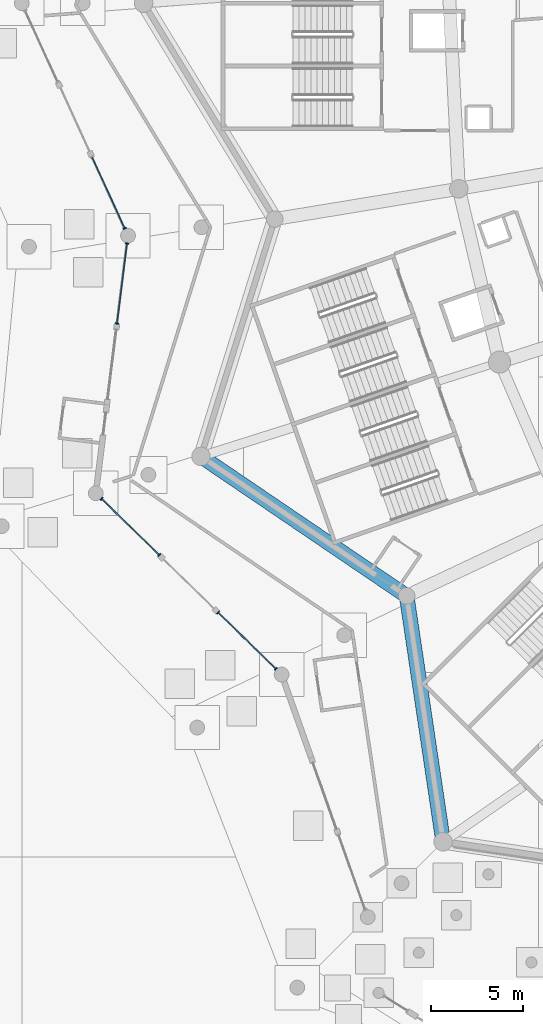
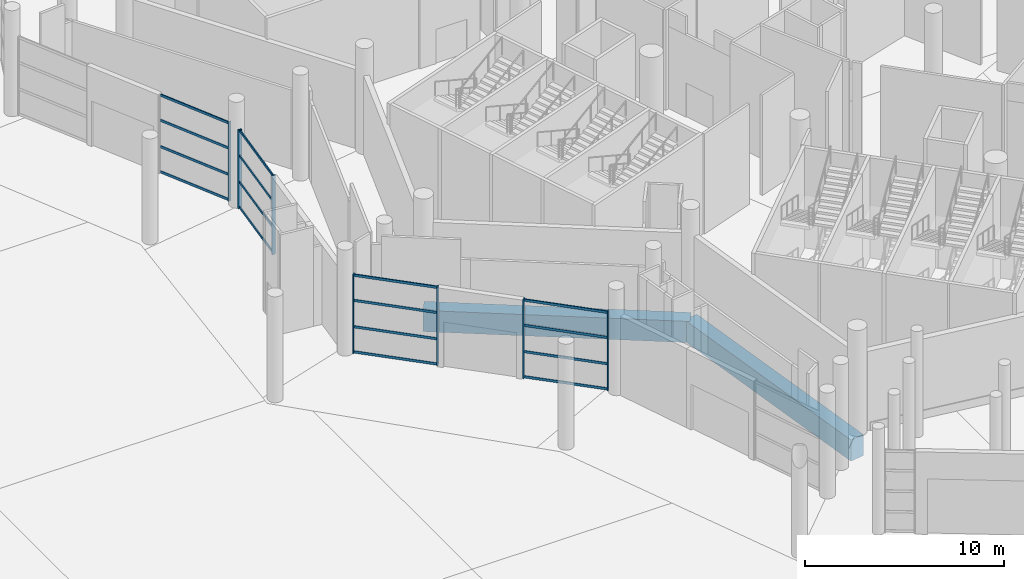
# One storey, part 17 of 255: 23 members, 2 beams, 4 elements without a shape of their own.
"""IFC4 building model written with IfcOpenShell, lengths in metres."""

from ifc_helpers import new_model, si_unit, direction, frame, origin, origin_2d, place, context, subcontext, project, spatial, rectangle, extrude, material, layer, layer_set, material_profile, profile_set, type_object, element, aggregate, save


model = new_model("IFC4")

# Units and contexts
model_context = context("Model", 3, precision=1e-05, world=origin(), true_north=direction((0.0, 1.0)))
body_context = subcontext(model_context, "Body", "Model", "MODEL_VIEW")
ifc_project = project(units=[si_unit("LENGTHUNIT", "METRE"), si_unit("AREAUNIT", "SQUARE_METRE"), si_unit("VOLUMEUNIT", "CUBIC_METRE"), si_unit("PLANEANGLEUNIT", "RADIAN"), si_unit("MASSUNIT", "GRAM", prefix="KILO")], contexts=[model_context])

# Site, building, storey
site_placement = place(None, origin())
site = spatial("IfcSite", under=ifc_project, at=site_placement, CompositionType="ELEMENT")
building_placement = place(site_placement, origin())
building = spatial("IfcBuilding", under=site, at=building_placement, Name="Meseta Stadium", CompositionType="ELEMENT")
storey_placement = place(building_placement, origin())
storey = spatial("IfcBuildingStorey", under=building, at=storey_placement, Name="L00", CompositionType="ELEMENT", Elevation=0.0)

# Beams
ifc_material_1 = material(Name="Concrete C40/50", Category="concrete")
ifc_material_profile_1 = material_profile(ifc_material_1, rectangle(XDim=0.800048828125, YDim=1.300048828125, at=origin_2d()), Name="RC 800x1300")
ifc_profile_set_1 = profile_set([ifc_material_profile_1], Name="Concrete C40/50")
beam_type = type_object("IfcBeamType", Name="RC beam 800x1300", PredefinedType="BEAM", material=ifc_profile_set_1)
beam_1_placement = place(storey_placement, frame((-98.291015625, -68.297607421875, -1.050048828125), z_axis=(0.827486005705, -0.561486340317, 0.0), x_axis=(0.561486340317, 0.827486005705, 0.0)))
element("IfcBeam", 1, at=beam_1_placement, inside=storey, type_object=beam_type, Name="L00 ring beam frame 38 line R", PredefinedType="BEAM", context=body_context, shape_type="SweptSolid", body=[
    extrude(rectangle(XDim=0.800048828125, YDim=1.300048828125, at=origin_2d()), origin(), (0.0, 0.0, 1.0), 13.462646484375),
])
beam_2_placement = place(storey_placement, frame((-87.15087890625, -75.856689453125, -1.050048828125), z_axis=(0.146870032835, -0.989155798373, 0.0), x_axis=(0.989155798373, 0.146870032835, 0.0)))
element("IfcBeam", 2, at=beam_2_placement, inside=storey, type_object=beam_type, Name="L00 ring beam frame 39 line R", PredefinedType="BEAM", context=body_context, shape_type="SweptSolid", body=[
    extrude(rectangle(XDim=0.800048828125, YDim=1.300048828125, at=origin_2d()), origin(), (0.0, 0.0, 1.0), 13.462890625),
])

# Curtain wall, member
ifc_material_2 = material(Name="Aluminium", Category="aluminium")
ifc_layer = layer(ifc_material_2, 0.199951171875)
ifc_layer_set = layer_set([ifc_layer], Name="Ring shopfront curtain wall")
curtain_wall_type = type_object("IfcCurtainWallType", Name="Ring shopfront curtain wall", PredefinedType="NOTDEFINED", material=ifc_layer_set)
curtain_wall_1_placement = place(storey_placement, origin())
curtain_wall_1 = element("IfcCurtainWall", 3, at=curtain_wall_1_placement, inside=storey, type_object=curtain_wall_type, Name="Shopfront glazing F36b", PredefinedType="NOTDEFINED")
ifc_material_3 = material(Name="Aluminium", Category="aluminium")
ifc_material_profile_2 = material_profile(ifc_material_3, rectangle(XDim=0.199951171875, YDim=0.06005859375, at=origin_2d()), Name="CW 200x60")
ifc_profile_set_2 = profile_set([ifc_material_profile_2], Name="Aluminium")
member_type_1 = type_object("IfcMemberType", Name="Ring CW mullion 60x200", PredefinedType="MULLION", material=ifc_profile_set_2)
member_1_placement = place(storey_placement, frame((-102.423095703125, -55.946044921875, 0.0), z_axis=(0.0, 0.0, 1.0), x_axis=(0.909427208853, 0.415863140706, 0.0)))
member_1 = element("IfcMember", 4, at=member_1_placement, type_object=member_type_1, Name="CWR1 mullion 2", PredefinedType="MULLION", context=body_context, shape_type="SweptSolid", body=[
    extrude(rectangle(XDim=0.199951171875, YDim=0.06005859375, at=origin_2d()), origin(), (0.0, 0.0, 1.0), 4.85009765625),
])

# Curtain wall, members
curtain_wall_2_placement = place(storey_placement, origin())
curtain_wall_2 = element("IfcCurtainWall", 5, at=curtain_wall_2_placement, inside=storey, type_object=curtain_wall_type, Name="Shopfront glazing F37a", PredefinedType="NOTDEFINED")
member_2_placement = place(storey_placement, frame((-102.297607421875, -56.763916015625, 0.0), z_axis=(0.0, 0.0, 1.0), x_axis=(0.992265721385, -0.124131938531, 0.0)))
member_2 = element("IfcMember", 6, at=member_2_placement, type_object=member_type_1, Name="CWR1 mullion 1", PredefinedType="MULLION", context=body_context, shape_type="SweptSolid", body=[
    extrude(rectangle(XDim=0.199951171875, YDim=0.06005859375, at=origin_2d()), origin(), (0.0, 0.0, 1.0), 4.85009765625),
])
member_3_placement = place(storey_placement, frame((-102.840087890625, -61.1015625, 0.0), z_axis=(0.0, 0.0, 1.0), x_axis=(0.992265721385, -0.124131938531, 0.0)))
member_3 = element("IfcMember", 7, at=member_3_placement, type_object=member_type_1, Name="CWR1 mullion 2", PredefinedType="MULLION", context=body_context, shape_type="SweptSolid", body=[
    extrude(rectangle(XDim=0.199951171875, YDim=0.06005859375, at=origin_2d()), origin(), (0.0, 0.0, 1.0), 4.85009765625),
])

curtain_wall_3_placement = place(storey_placement, origin())
curtain_wall_3 = element("IfcCurtainWall", 8, at=curtain_wall_3_placement, inside=storey, type_object=curtain_wall_type, Name="Shopfront glazing F38a", PredefinedType="NOTDEFINED")
member_4_placement = place(storey_placement, frame((-103.68212890625, -70.591796875, 0.0), z_axis=(0.0, 0.0, 1.0), x_axis=(0.698377144688, 0.715729951712, 0.0)))
member_4 = element("IfcMember", 9, at=member_4_placement, type_object=member_type_1, Name="CWR1 mullion 1", PredefinedType="MULLION", context=body_context, shape_type="SweptSolid", body=[
    extrude(rectangle(XDim=0.199951171875, YDim=0.06005859375, at=origin_2d()), origin(), (0.0, 0.0, 1.0), 4.85009765625),
])
member_5_placement = place(storey_placement, frame((-100.553466796875, -73.644775390625, 0.0), z_axis=(0.0, 0.0, 1.0), x_axis=(0.698377144688, 0.715729951712, 0.0)))
member_5 = element("IfcMember", 10, at=member_5_placement, type_object=member_type_1, Name="CWR1 mullion 2", PredefinedType="MULLION", context=body_context, shape_type="SweptSolid", body=[
    extrude(rectangle(XDim=0.199951171875, YDim=0.06005859375, at=origin_2d()), origin(), (0.0, 0.0, 1.0), 4.85009765625),
])

curtain_wall_4_placement = place(storey_placement, origin())
curtain_wall_4 = element("IfcCurtainWall", 11, at=curtain_wall_4_placement, inside=storey, type_object=curtain_wall_type, Name="Shopfront glazing F38b", PredefinedType="NOTDEFINED")
member_6_placement = place(storey_placement, frame((-97.361328125, -76.759765625, 0.0), z_axis=(0.0, 0.0, 1.0), x_axis=(0.698388703987, 0.715718672485, 0.0)))
member_6 = element("IfcMember", 12, at=member_6_placement, type_object=member_type_1, Name="CWR1 mullion 1", PredefinedType="MULLION", context=body_context, shape_type="SweptSolid", body=[
    extrude(rectangle(XDim=0.199951171875, YDim=0.06005859375, at=origin_2d()), origin(), (0.0, 0.0, 1.0), 4.85009765625),
])
member_7_placement = place(storey_placement, frame((-94.232421875, -79.812744140625, 0.0), z_axis=(0.0, 0.0, 1.0), x_axis=(0.698388703987, 0.715718672485, 0.0)))
member_7 = element("IfcMember", 13, at=member_7_placement, type_object=member_type_1, Name="CWR1 mullion 2", PredefinedType="MULLION", context=body_context, shape_type="SweptSolid", body=[
    extrude(rectangle(XDim=0.199951171875, YDim=0.06005859375, at=origin_2d()), origin(), (0.0, 0.0, 1.0), 4.85009765625),
])

# Member
ifc_material_4 = material(Name="Aluminium", Category="aluminium")
ifc_material_profile_3 = material_profile(ifc_material_4, rectangle(XDim=0.06005859375, YDim=0.14990234375, at=origin_2d()), Name="CW 60x150")
ifc_profile_set_3 = profile_set([ifc_material_profile_3], Name="Aluminium")
member_type_2 = type_object("IfcMemberType", Name="Ring CW transom 60x150", PredefinedType="USERDEFINED", material=ifc_profile_set_3)
member_8_placement = place(storey_placement, frame((-104.18212890625, -52.098876953125, 0.074951171875), z_axis=(0.415811956472, -0.909450612653, 0.0), x_axis=(0.909450612653, 0.415811956472, 0.0)))
member_8 = element("IfcMember", 14, at=member_8_placement, type_object=member_type_2, Name="CWR1 transom 1.1", ObjectType="TRANSOM", PredefinedType="USERDEFINED", context=body_context, shape_type="SweptSolid", body=[
    extrude(rectangle(XDim=0.06005859375, YDim=0.14990234375, at=origin_2d()), origin(), (0.0, 0.0, 1.0), 4.200439453125),
])

member_9_placement = place(storey_placement, frame((-104.18212890625, -52.098876953125, 1.61669921875), z_axis=(0.415811956472, -0.909450612653, 0.0), x_axis=(0.909450612653, 0.415811956472, 0.0)))
member_9 = element("IfcMember", 15, at=member_9_placement, type_object=member_type_2, Name="CWR1 transom 1.2", ObjectType="TRANSOM", PredefinedType="USERDEFINED", context=body_context, shape_type="SweptSolid", body=[
    extrude(rectangle(XDim=0.06005859375, YDim=0.14990234375, at=origin_2d()), origin(), (0.0, 0.0, 1.0), 4.200439453125),
])

member_10_placement = place(storey_placement, frame((-104.18212890625, -52.098876953125, 3.2333984375), z_axis=(0.415811956472, -0.909450612653, 0.0), x_axis=(0.909450612653, 0.415811956472, 0.0)))
member_10 = element("IfcMember", 16, at=member_10_placement, type_object=member_type_2, Name="CWR1 transom 1.3", ObjectType="TRANSOM", PredefinedType="USERDEFINED", context=body_context, shape_type="SweptSolid", body=[
    extrude(rectangle(XDim=0.06005859375, YDim=0.14990234375, at=origin_2d()), origin(), (0.0, 0.0, 1.0), 4.200439453125),
])

member_11_placement = place(storey_placement, frame((-104.18212890625, -52.098876953125, 4.77490234375), z_axis=(0.415811956472, -0.909450612653, 0.0), x_axis=(0.909450612653, 0.415811956472, 0.0)))
member_11 = element("IfcMember", 17, at=member_11_placement, type_object=member_type_2, Name="CWR1 transom 1.4", ObjectType="TRANSOM", PredefinedType="USERDEFINED", context=body_context, shape_type="SweptSolid", body=[
    extrude(rectangle(XDim=0.06005859375, YDim=0.14990234375, at=origin_2d()), origin(), (0.0, 0.0, 1.0), 4.200439453125),
])

aggregate(curtain_wall_1, [member_1, member_8, member_9, member_10, member_11])

member_12_placement = place(storey_placement, frame((-102.30126953125, -56.793701171875, 0.074951171875), z_axis=(-0.124125336508, -0.992266547273, 0.0), x_axis=(0.992266547273, -0.124125336508, 0.0)))
member_12 = element("IfcMember", 18, at=member_12_placement, type_object=member_type_2, Name="CWR1 transom 1.1", ObjectType="TRANSOM", PredefinedType="USERDEFINED", context=body_context, shape_type="SweptSolid", body=[
    extrude(rectangle(XDim=0.06005859375, YDim=0.14990234375, at=origin_2d()), origin(), (0.0, 0.0, 1.0), 4.3115234375),
])

member_13_placement = place(storey_placement, frame((-102.30126953125, -56.793701171875, 1.61669921875), z_axis=(-0.124125336508, -0.992266547273, 0.0), x_axis=(0.992266547273, -0.124125336508, 0.0)))
member_13 = element("IfcMember", 19, at=member_13_placement, type_object=member_type_2, Name="CWR1 transom 1.2", ObjectType="TRANSOM", PredefinedType="USERDEFINED", context=body_context, shape_type="SweptSolid", body=[
    extrude(rectangle(XDim=0.06005859375, YDim=0.14990234375, at=origin_2d()), origin(), (0.0, 0.0, 1.0), 4.3115234375),
])

member_14_placement = place(storey_placement, frame((-102.30126953125, -56.793701171875, 3.2333984375), z_axis=(-0.124125336508, -0.992266547273, 0.0), x_axis=(0.992266547273, -0.124125336508, 0.0)))
member_14 = element("IfcMember", 20, at=member_14_placement, type_object=member_type_2, Name="CWR1 transom 1.3", ObjectType="TRANSOM", PredefinedType="USERDEFINED", context=body_context, shape_type="SweptSolid", body=[
    extrude(rectangle(XDim=0.06005859375, YDim=0.14990234375, at=origin_2d()), origin(), (0.0, 0.0, 1.0), 4.3115234375),
])

member_15_placement = place(storey_placement, frame((-102.30126953125, -56.793701171875, 4.77490234375), z_axis=(-0.124125336508, -0.992266547273, 0.0), x_axis=(0.992266547273, -0.124125336508, 0.0)))
member_15 = element("IfcMember", 21, at=member_15_placement, type_object=member_type_2, Name="CWR1 transom 1.4", ObjectType="TRANSOM", PredefinedType="USERDEFINED", context=body_context, shape_type="SweptSolid", body=[
    extrude(rectangle(XDim=0.06005859375, YDim=0.14990234375, at=origin_2d()), origin(), (0.0, 0.0, 1.0), 4.3115234375),
])

aggregate(curtain_wall_2, [member_2, member_3, member_12, member_13, member_14, member_15])

member_16_placement = place(storey_placement, frame((-103.66064453125, -70.61279296875, 0.074951171875), z_axis=(0.715717740806, -0.698389658783, 0.0), x_axis=(0.698389658783, 0.715717740806, 0.0)))
member_16 = element("IfcMember", 22, at=member_16_placement, type_object=member_type_2, Name="CWR1 transom 1.1", ObjectType="TRANSOM", PredefinedType="USERDEFINED", context=body_context, shape_type="SweptSolid", body=[
    extrude(rectangle(XDim=0.06005859375, YDim=0.14990234375, at=origin_2d()), origin(), (0.0, 0.0, 1.0), 4.311279296875),
])

member_17_placement = place(storey_placement, frame((-103.66064453125, -70.61279296875, 1.61669921875), z_axis=(0.715717740806, -0.698389658783, 0.0), x_axis=(0.698389658783, 0.715717740806, 0.0)))
member_17 = element("IfcMember", 23, at=member_17_placement, type_object=member_type_2, Name="CWR1 transom 1.2", ObjectType="TRANSOM", PredefinedType="USERDEFINED", context=body_context, shape_type="SweptSolid", body=[
    extrude(rectangle(XDim=0.06005859375, YDim=0.14990234375, at=origin_2d()), origin(), (0.0, 0.0, 1.0), 4.311279296875),
])

member_18_placement = place(storey_placement, frame((-103.66064453125, -70.61279296875, 3.2333984375), z_axis=(0.715717740806, -0.698389658783, 0.0), x_axis=(0.698389658783, 0.715717740806, 0.0)))
member_18 = element("IfcMember", 24, at=member_18_placement, type_object=member_type_2, Name="CWR1 transom 1.3", ObjectType="TRANSOM", PredefinedType="USERDEFINED", context=body_context, shape_type="SweptSolid", body=[
    extrude(rectangle(XDim=0.06005859375, YDim=0.14990234375, at=origin_2d()), origin(), (0.0, 0.0, 1.0), 4.311279296875),
])

member_19_placement = place(storey_placement, frame((-103.66064453125, -70.61279296875, 4.77490234375), z_axis=(0.715717740806, -0.698389658783, 0.0), x_axis=(0.698389658783, 0.715717740806, 0.0)))
member_19 = element("IfcMember", 25, at=member_19_placement, type_object=member_type_2, Name="CWR1 transom 1.4", ObjectType="TRANSOM", PredefinedType="USERDEFINED", context=body_context, shape_type="SweptSolid", body=[
    extrude(rectangle(XDim=0.06005859375, YDim=0.14990234375, at=origin_2d()), origin(), (0.0, 0.0, 1.0), 4.311279296875),
])

aggregate(curtain_wall_3, [member_4, member_5, member_16, member_17, member_18, member_19])

member_20_placement = place(storey_placement, frame((-97.33984375, -76.780517578125, 0.074951171875), z_axis=(0.715717055566, -0.698390361025, 0.0), x_axis=(0.698390361025, 0.715717055566, 0.0)))
member_20 = element("IfcMember", 26, at=member_20_placement, type_object=member_type_2, Name="CWR1 transom 1.1", ObjectType="TRANSOM", PredefinedType="USERDEFINED", context=body_context, shape_type="SweptSolid", body=[
    extrude(rectangle(XDim=0.06005859375, YDim=0.14990234375, at=origin_2d()), origin(), (0.0, 0.0, 1.0), 4.311767578125),
])

member_21_placement = place(storey_placement, frame((-97.33984375, -76.780517578125, 1.61669921875), z_axis=(0.715717055566, -0.698390361025, 0.0), x_axis=(0.698390361025, 0.715717055566, 0.0)))
member_21 = element("IfcMember", 27, at=member_21_placement, type_object=member_type_2, Name="CWR1 transom 1.2", ObjectType="TRANSOM", PredefinedType="USERDEFINED", context=body_context, shape_type="SweptSolid", body=[
    extrude(rectangle(XDim=0.06005859375, YDim=0.14990234375, at=origin_2d()), origin(), (0.0, 0.0, 1.0), 4.311767578125),
])

member_22_placement = place(storey_placement, frame((-97.33984375, -76.780517578125, 3.2333984375), z_axis=(0.715717055566, -0.698390361025, 0.0), x_axis=(0.698390361025, 0.715717055566, 0.0)))
member_22 = element("IfcMember", 28, at=member_22_placement, type_object=member_type_2, Name="CWR1 transom 1.3", ObjectType="TRANSOM", PredefinedType="USERDEFINED", context=body_context, shape_type="SweptSolid", body=[
    extrude(rectangle(XDim=0.06005859375, YDim=0.14990234375, at=origin_2d()), origin(), (0.0, 0.0, 1.0), 4.311767578125),
])

member_23_placement = place(storey_placement, frame((-97.33984375, -76.780517578125, 4.77490234375), z_axis=(0.715717055566, -0.698390361025, 0.0), x_axis=(0.698390361025, 0.715717055566, 0.0)))
member_23 = element("IfcMember", 29, at=member_23_placement, type_object=member_type_2, Name="CWR1 transom 1.4", ObjectType="TRANSOM", PredefinedType="USERDEFINED", context=body_context, shape_type="SweptSolid", body=[
    extrude(rectangle(XDim=0.06005859375, YDim=0.14990234375, at=origin_2d()), origin(), (0.0, 0.0, 1.0), 4.311767578125),
])

aggregate(curtain_wall_4, [member_6, member_7, member_20, member_21, member_22, member_23])

save(model, "model.ifc")
